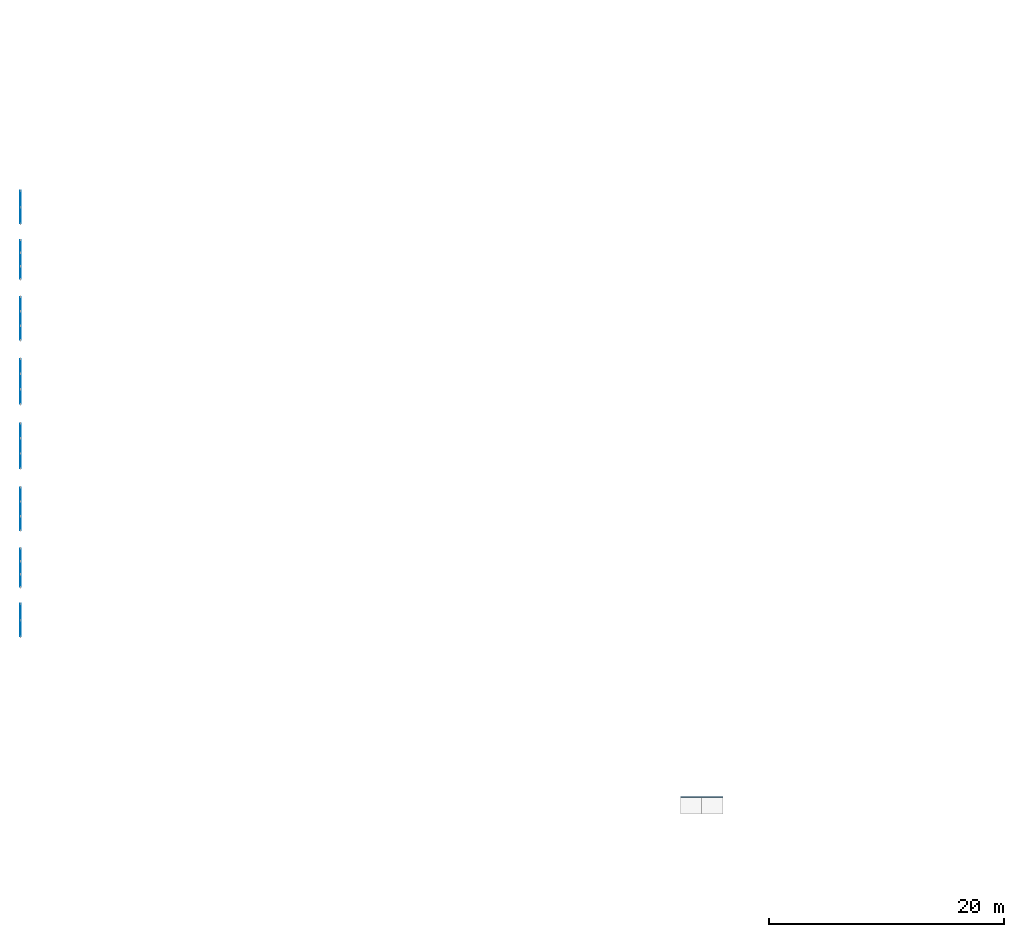
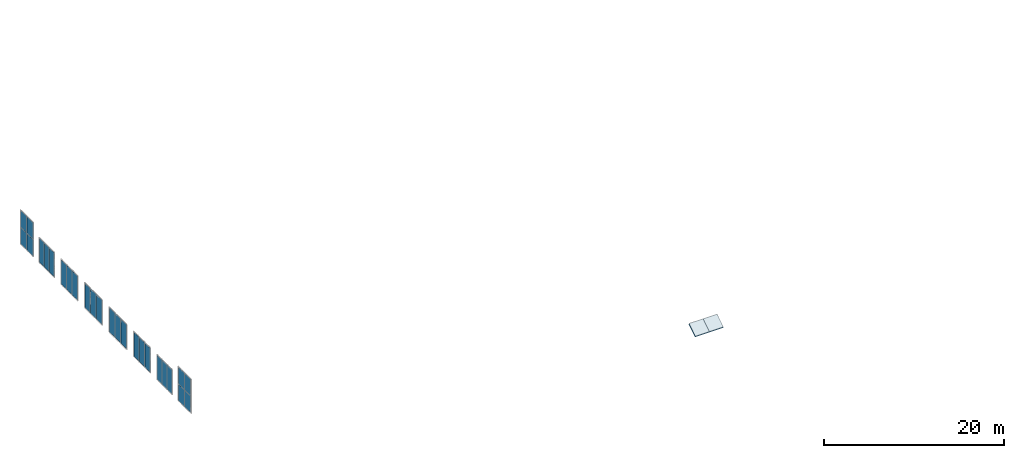
# One storey, part 16 of 31: 26 plates, 2 slabs, 8 elements without a shape of their own.
"""IFC4 building model written with IfcOpenShell, lengths in metres."""

import ifcopenshell
import ifcopenshell.guid

model = None  # the IFC model being written
_history = None  # IfcOwnerHistory: only IFC2X3 demands one
_inside = {}  # id of a spatial element -> (the spatial element, [elements in it])
_under = {}  # id of a project, library or spatial element -> (it, [spatial elements below it])
_declared = {}  # id of a project -> (the project, [libraries it declares])
_typed = {}  # id of a type object -> (the type object, [elements of that type])
_made_of = {}  # id of a material, layer set ... -> (it, [elements and type objects made of it])


def new_model(schema):
    """Start an empty IFC model of exactly this schema.

    Asked for "IFC4X3", IfcOpenShell would pick the latest addendum, in which some entities
    have other attributes; the version numbers below select the first issue.
    IFC2X3 requires an IfcOwnerHistory on every rooted entity: one is made here for all.
    """
    global model, _history
    if schema == "IFC4X3":
        model = ifcopenshell.file(schema_version=(4, 3, 0, 0))
    else:
        model = ifcopenshell.file(schema=schema)
    _inside.clear()
    _under.clear()
    _declared.clear()
    _typed.clear()
    _made_of.clear()
    _history = None
    if model.schema == "IFC2X3":
        org = make("IfcOrganization", Name="unknown")
        user = make(
            "IfcPersonAndOrganization",
            ThePerson=make("IfcPerson", FamilyName="unknown"),
            TheOrganization=org,
        )
        app = make(
            "IfcApplication",
            ApplicationDeveloper=org,
            Version="unknown",
            ApplicationFullName="unknown",
            ApplicationIdentifier="unknown",
        )
        _history = make(
            "IfcOwnerHistory",
            OwningUser=user,
            OwningApplication=app,
            ChangeAction="ADDED",
            CreationDate=0,
        )
    return model


def make(cls, **values):
    """One entity of the class cls with the attributes given. An attribute that is None is left unset."""
    return model.create_entity(
        cls, **{name: value for name, value in values.items() if value is not None}
    )


def rooted(cls, **values):
    """An entity with a GlobalId (a new one), such as an element, a storey or a relation."""
    return make(cls, GlobalId=ifcopenshell.guid.new(), OwnerHistory=_history, **values)


def si_unit(unit_type, name, prefix=None):
    """IfcSIUnit, for example si_unit("LENGTHUNIT", "METRE", prefix="MILLI")."""
    return make("IfcSIUnit", UnitType=unit_type, Prefix=prefix, Name=name)


def assignment(units):
    """IfcUnitAssignment: the units of a project."""
    return None if units is None else make("IfcUnitAssignment", Units=units)


def point(xyz):
    """IfcCartesianPoint."""
    return None if xyz is None else make("IfcCartesianPoint", Coordinates=xyz)


def direction(xyz):
    """IfcDirection."""
    return None if xyz is None else make("IfcDirection", DirectionRatios=xyz)


def frame(location, z_axis=None, x_axis=None):
    """IfcAxis2Placement3D, a coordinate frame: its origin and axes. An axis left out is left unset."""
    return make(
        "IfcAxis2Placement3D",
        Location=point(location),
        Axis=direction(z_axis),
        RefDirection=direction(x_axis),
    )


def frame_2d(location, x_axis=None):
    """IfcAxis2Placement2D, a coordinate frame in the plane: its origin and x axis."""
    return make(
        "IfcAxis2Placement2D", Location=point(location), RefDirection=direction(x_axis)
    )


def origin():
    """The frame at (0, 0, 0) with its axes left unset."""
    return frame((0.0, 0.0, 0.0))


def origin_2d():
    """The frame at (0, 0) in the plane with its x axis left unset."""
    return frame_2d((0.0, 0.0))


def place(relative_to, where):
    """IfcLocalPlacement: puts the frame where relative to a parent placement (None: the world)."""
    return make(
        "IfcLocalPlacement", PlacementRelTo=relative_to, RelativePlacement=where
    )


def context(
    kind, dimensions, precision=None, world=None, true_north=None, identifier=None
):
    """IfcGeometricRepresentationContext, for example the 3D "Model" context."""
    return make(
        "IfcGeometricRepresentationContext",
        ContextIdentifier=identifier,
        ContextType=kind,
        CoordinateSpaceDimension=dimensions,
        Precision=precision,
        WorldCoordinateSystem=world,
        TrueNorth=true_north,
    )


def subcontext(parent, identifier, kind, view, scale=None):
    """IfcGeometricRepresentationSubContext, for example "Body" below "Model"."""
    return make(
        "IfcGeometricRepresentationSubContext",
        ContextIdentifier=identifier,
        ContextType=kind,
        ParentContext=parent,
        TargetScale=scale,
        TargetView=view,
    )


def project(units=None, contexts=None):
    """IfcProject with its units and contexts."""
    return rooted(
        "IfcProject",
        Name="project",
        RepresentationContexts=contexts,
        UnitsInContext=assignment(units),
    )


def spatial(cls, under=None, at=None, **own):
    """A site, building, storey or space (cls), placed at a placement, below another one or the project."""
    s = rooted(cls, ObjectPlacement=at, **own)
    if under is not None:
        _under.setdefault(under.id(), (under, []))[1].append(s)
    return s


def polyline(points):
    """IfcPolyline through the points."""
    return make("IfcPolyline", Points=[point(p) for p in points])


def profile(cls, at=None, kind="AREA", **sizes):
    """A parametric profile (cls). Its sizes go by their IFC names, for example OverallWidth=200.0."""
    return make(cls, ProfileType=kind, Position=at, **sizes)


def rectangle(**sizes):
    """IfcRectangleProfileDef."""
    return profile("IfcRectangleProfileDef", **sizes)


def outline(outer, holes=None, kind="AREA"):
    """IfcArbitraryClosedProfileDef: a profile drawn as a closed curve; with holes, ...WithVoids."""
    if holes is None:
        return make("IfcArbitraryClosedProfileDef", ProfileType=kind, OuterCurve=outer)
    return make(
        "IfcArbitraryProfileDefWithVoids",
        ProfileType=kind,
        OuterCurve=outer,
        InnerCurves=holes,
    )


def extrude(swept, where, along, depth):
    """IfcExtrudedAreaSolid: the profile swept, set in the frame where, extruded along a direction by depth."""
    return make(
        "IfcExtrudedAreaSolid",
        SweptArea=swept,
        Position=where,
        ExtrudedDirection=direction(along),
        Depth=depth,
    )


def shape(context_of_items, identifier, shape_type, items):
    """IfcShapeRepresentation: the items that make up one representation, for example the "Body"."""
    return make(
        "IfcShapeRepresentation",
        ContextOfItems=context_of_items,
        RepresentationIdentifier=identifier,
        RepresentationType=shape_type,
        Items=items,
    )


def material(Name=None, Category=None):
    """IfcMaterial."""
    return make("IfcMaterial", Name=Name, Category=Category)


def layer(
    of_material, thickness, ventilated=None, Name=None, Category=None, Priority=None
):
    """IfcMaterialLayer: one layer of a wall or slab, of a material (None: an air gap)."""
    return make(
        "IfcMaterialLayer",
        Material=of_material,
        LayerThickness=thickness,
        IsVentilated=ventilated,
        Name=Name,
        Category=Category,
        Priority=Priority,
    )


def layer_set(layers, Name=None):
    """IfcMaterialLayerSet."""
    return make("IfcMaterialLayerSet", MaterialLayers=layers, LayerSetName=Name)


def made_of(thing, what):
    """Note that an element or type object is made of a material, layer set ...; save() writes the relation."""
    if what is not None:
        _made_of.setdefault(what.id(), (what, []))[1].append(thing)
    return thing


def type_object(cls, material=None, **own):
    """A type object (cls), such as IfcWallType, which elements share."""
    return made_of(rooted(cls, **own), material)


def element(
    cls,
    number,
    at=None,
    inside=None,
    cuts=None,
    type_object=None,
    material=None,
    context=None,
    identifier="Body",
    shape_type=None,
    held_by="IfcProductDefinitionShape",
    body=None,
    shapes=None,
    **own,
):
    """One element of the class cls, such as IfcWall. Its Tag is "e" and its number.

    at: its placement. inside: the storey or other place that contains it. cuts: it is an
    opening in that element (IfcRelVoidsElement). A single representation is given by context,
    identifier, shape_type and body (its items); several are given by shapes. held_by: the class
    of the entity that holds the representations. save() writes the other relations.
    """
    e = rooted(cls, Tag="e%d" % number, ObjectPlacement=at, **own)
    if body is not None:
        shapes = [shape(context, identifier, shape_type, body)]
    if shapes is not None:
        e.Representation = make(held_by, Representations=shapes)
    if inside is not None:
        _inside.setdefault(inside.id(), (inside, []))[1].append(e)
    if cuts is not None:
        rooted(
            "IfcRelVoidsElement", RelatingBuildingElement=cuts, RelatedOpeningElement=e
        )
    if type_object is not None:
        _typed.setdefault(type_object.id(), (type_object, []))[1].append(e)
    return made_of(e, material)


def aggregate(whole, parts):
    """IfcRelAggregates: a whole, such as a stair, and the parts it consists of."""
    return rooted("IfcRelAggregates", RelatingObject=whole, RelatedObjects=parts)


def save(model, path):
    """Write the relations noted so far, then the file.

    IfcRelAggregates (storeys below a building ...), IfcRelContainedInSpatialStructure (elements
    in a storey), IfcRelDefinesByType, IfcRelAssociatesMaterial and IfcRelDeclares: one each for
    every whole, place, type object, material and project.
    """
    for whole, parts in _under.values():
        aggregate(whole, parts)
    for where, things in _inside.values():
        rooted(
            "IfcRelContainedInSpatialStructure",
            RelatedElements=things,
            RelatingStructure=where,
        )
    for kind, things in _typed.values():
        rooted("IfcRelDefinesByType", RelatedObjects=things, RelatingType=kind)
    for what, things in _made_of.values():
        rooted("IfcRelAssociatesMaterial", RelatedObjects=things, RelatingMaterial=what)
    for by, libraries in _declared.values():
        rooted("IfcRelDeclares", RelatingContext=by, RelatedDefinitions=libraries)
    model.write(path)


model = new_model("IFC4")

# Units and contexts
model_context = context("Model", 3, precision=1e-05, world=origin(), true_north=direction((0.0, 1.0)))
body_context = subcontext(model_context, "Body", "Model", "MODEL_VIEW")
ifc_project = project(units=[si_unit("LENGTHUNIT", "METRE"), si_unit("AREAUNIT", "SQUARE_METRE"), si_unit("VOLUMEUNIT", "CUBIC_METRE"), si_unit("PLANEANGLEUNIT", "RADIAN"), si_unit("MASSUNIT", "GRAM", prefix="KILO")], contexts=[model_context])

# Site, building, storey
site_placement = place(None, origin())
site = spatial("IfcSite", under=ifc_project, at=site_placement, CompositionType="ELEMENT")
building_placement = place(site_placement, origin())
building = spatial("IfcBuilding", under=site, at=building_placement, Name="Vermilion Court Aquatics Centre", CompositionType="ELEMENT")
storey_placement = place(building_placement, frame((0.0, 0.0, 16.5)))
storey = spatial("IfcBuildingStorey", under=building, at=storey_placement, Name="L03", CompositionType="ELEMENT", Elevation=16.5)

# Curtain wall, plates
ifc_material_1 = material(Name="Aluminium 6063-T5", Category="aluminium")
curtain_wall_type = type_object("IfcCurtainWallType", Name="Envelope curtain wall west gable upper runs", PredefinedType="NOTDEFINED", material=ifc_material_1)
curtain_wall_1_placement = place(storey_placement, origin())
curtain_wall_1 = element("IfcCurtainWall", 1, at=curtain_wall_1_placement, inside=storey, type_object=curtain_wall_type, Name="Gable glazing west 3.2", PredefinedType="NOTDEFINED")
ifc_material_2 = material(Name="Glazing", Category="glass")
ifc_layer_1 = layer(ifc_material_2, 0.050048828125)
ifc_layer_set_1 = layer_set([ifc_layer_1], Name="Envelope triple glazing panel 50")
plate_type = type_object("IfcPlateType", Name="Envelope triple glazing panel 50", PredefinedType="CURTAIN_PANEL", material=ifc_layer_set_1)
plate_1_placement = place(storey_placement, frame((14.125, 21.35498046875, 0.06005859375), z_axis=(0.0, 0.0, 1.0), x_axis=(0.0, 1.0, 0.0)))
plate_1 = element("IfcPlate", 2, at=plate_1_placement, type_object=plate_type, Name="ECW4 panel 1.1", PredefinedType="CURTAIN_PANEL", context=body_context, shape_type="SweptSolid", body=[
    extrude(rectangle(XDim=1.35009765625, YDim=0.050048828125, at=origin_2d()), origin(), (0.0, 0.0, 1.0), 2.2275390625),
])
plate_2_placement = place(storey_placement, frame((14.125, 21.35498046875, 2.347412109375), z_axis=(0.0, 0.0, 1.0), x_axis=(0.0, 1.0, 0.0)))
plate_2 = element("IfcPlate", 3, at=plate_2_placement, type_object=plate_type, Name="ECW4 panel 1.2", PredefinedType="CURTAIN_PANEL", context=body_context, shape_type="SweptSolid", body=[
    extrude(rectangle(XDim=1.35009765625, YDim=0.050048828125, at=origin_2d()), origin(), (0.0, 0.0, 1.0), 2.2275390625),
])
plate_3_placement = place(storey_placement, frame((14.125, 22.764892578125, 0.06005859375), z_axis=(0.0, 0.0, 1.0), x_axis=(0.0, 1.0, 0.0)))
plate_3 = element("IfcPlate", 4, at=plate_3_placement, type_object=plate_type, Name="ECW4 panel 2.1", PredefinedType="CURTAIN_PANEL", context=body_context, shape_type="SweptSolid", body=[
    extrude(rectangle(XDim=1.35009765625, YDim=0.050048828125, at=origin_2d()), origin(), (0.0, 0.0, 1.0), 2.2275390625),
])
plate_4_placement = place(storey_placement, frame((14.125, 22.764892578125, 2.347412109375), z_axis=(0.0, 0.0, 1.0), x_axis=(0.0, 1.0, 0.0)))
plate_4 = element("IfcPlate", 5, at=plate_4_placement, type_object=plate_type, Name="ECW4 panel 2.2", PredefinedType="CURTAIN_PANEL", context=body_context, shape_type="SweptSolid", body=[
    extrude(rectangle(XDim=1.35009765625, YDim=0.050048828125, at=origin_2d()), origin(), (0.0, 0.0, 1.0), 2.2275390625),
])
aggregate(curtain_wall_1, [plate_1, plate_2, plate_3, plate_4])

curtain_wall_2_placement = place(storey_placement, origin())
curtain_wall_2 = element("IfcCurtainWall", 6, at=curtain_wall_2_placement, inside=storey, type_object=curtain_wall_type, Name="Gable glazing west 4.2", PredefinedType="NOTDEFINED")
plate_5_placement = place(storey_placement, frame((14.125, 25.3984375, 0.06005859375), z_axis=(0.0, 0.0, 1.0), x_axis=(0.0, 1.0, 0.0)))
plate_5 = element("IfcPlate", 7, at=plate_5_placement, type_object=plate_type, Name="ECW4 panel 1.1", PredefinedType="CURTAIN_PANEL", context=body_context, shape_type="SweptSolid", body=[
    extrude(rectangle(XDim=1.03662109375, YDim=0.050048828125, at=origin_2d()), origin(), (0.0, 0.0, 1.0), 3.280029296875),
])
plate_6_placement = place(storey_placement, frame((14.125, 26.510009765625, 0.06005859375), z_axis=(0.0, 0.0, 1.0), x_axis=(0.0, 1.0, 0.0)))
plate_6 = element("IfcPlate", 8, at=plate_6_placement, type_object=plate_type, Name="ECW4 panel 2.1", PredefinedType="CURTAIN_PANEL", context=body_context, shape_type="SweptSolid", body=[
    extrude(rectangle(XDim=1.066650390625, YDim=0.050048828125, at=origin_2d()), origin(), (0.0, 0.0, 1.0), 3.280029296875),
])
plate_7_placement = place(storey_placement, frame((14.125, 27.62158203125, 0.06005859375), z_axis=(0.0, 0.0, 1.0), x_axis=(0.0, 1.0, 0.0)))
plate_7 = element("IfcPlate", 9, at=plate_7_placement, type_object=plate_type, Name="ECW4 panel 3.1", PredefinedType="CURTAIN_PANEL", context=body_context, shape_type="SweptSolid", body=[
    extrude(rectangle(XDim=1.03662109375, YDim=0.050048828125, at=origin_2d()), origin(), (0.0, 0.0, 1.0), 3.280029296875),
])
aggregate(curtain_wall_2, [plate_5, plate_6, plate_7])

curtain_wall_3_placement = place(storey_placement, origin())
curtain_wall_3 = element("IfcCurtainWall", 10, at=curtain_wall_3_placement, inside=storey, type_object=curtain_wall_type, Name="Gable glazing west 5.2", PredefinedType="NOTDEFINED")
plate_8_placement = place(storey_placement, frame((14.125, 30.28662109375, 0.06005859375), z_axis=(0.0, 0.0, 1.0), x_axis=(0.0, 1.0, 0.0)))
plate_8 = element("IfcPlate", 11, at=plate_8_placement, type_object=plate_type, Name="ECW4 panel 1.1", PredefinedType="CURTAIN_PANEL", context=body_context, shape_type="SweptSolid", body=[
    extrude(rectangle(XDim=1.1533203125, YDim=0.050048828125, at=origin_2d()), origin(), (0.0, 0.0, 1.0), 3.280029296875),
])
plate_9_placement = place(storey_placement, frame((14.125, 31.514892578125, 0.06005859375), z_axis=(0.0, 0.0, 1.0), x_axis=(0.0, 1.0, 0.0)))
plate_9 = element("IfcPlate", 12, at=plate_9_placement, type_object=plate_type, Name="ECW4 panel 2.1", PredefinedType="CURTAIN_PANEL", context=body_context, shape_type="SweptSolid", body=[
    extrude(rectangle(XDim=1.183349609375, YDim=0.050048828125, at=origin_2d()), origin(), (0.0, 0.0, 1.0), 3.280029296875),
])
plate_10_placement = place(storey_placement, frame((14.125, 32.743408203125, 0.06005859375), z_axis=(0.0, 0.0, 1.0), x_axis=(0.0, 1.0, 0.0)))
plate_10 = element("IfcPlate", 13, at=plate_10_placement, type_object=plate_type, Name="ECW4 panel 3.1", PredefinedType="CURTAIN_PANEL", context=body_context, shape_type="SweptSolid", body=[
    extrude(rectangle(XDim=1.1533203125, YDim=0.050048828125, at=origin_2d()), origin(), (0.0, 0.0, 1.0), 3.280029296875),
])
aggregate(curtain_wall_3, [plate_8, plate_9, plate_10])

curtain_wall_4_placement = place(storey_placement, origin())
curtain_wall_4 = element("IfcCurtainWall", 14, at=curtain_wall_4_placement, inside=storey, type_object=curtain_wall_type, Name="Gable glazing west 6.2", PredefinedType="NOTDEFINED")
plate_11_placement = place(storey_placement, frame((14.125, 35.57666015625, 0.06005859375), z_axis=(0.0, 0.0, 1.0), x_axis=(0.0, 1.0, 0.0)))
plate_11 = element("IfcPlate", 15, at=plate_11_placement, type_object=plate_type, Name="ECW4 panel 1.1", PredefinedType="CURTAIN_PANEL", context=body_context, shape_type="SweptSolid", body=[
    extrude(rectangle(XDim=1.21337890625, YDim=0.050048828125, at=origin_2d()), origin(), (0.0, 0.0, 1.0), 3.280029296875),
])
plate_12_placement = place(storey_placement, frame((14.125, 36.864990234375, 0.06005859375), z_axis=(0.0, 0.0, 1.0), x_axis=(0.0, 1.0, 0.0)))
plate_12 = element("IfcPlate", 16, at=plate_12_placement, type_object=plate_type, Name="ECW4 panel 2.1", PredefinedType="CURTAIN_PANEL", context=body_context, shape_type="SweptSolid", body=[
    extrude(rectangle(XDim=1.243408203125, YDim=0.050048828125, at=origin_2d()), origin(), (0.0, 0.0, 1.0), 3.280029296875),
])
plate_13_placement = place(storey_placement, frame((14.125, 38.1533203125, 0.06005859375), z_axis=(0.0, 0.0, 1.0), x_axis=(0.0, 1.0, 0.0)))
plate_13 = element("IfcPlate", 17, at=plate_13_placement, type_object=plate_type, Name="ECW4 panel 3.1", PredefinedType="CURTAIN_PANEL", context=body_context, shape_type="SweptSolid", body=[
    extrude(rectangle(XDim=1.21337890625, YDim=0.050048828125, at=origin_2d()), origin(), (0.0, 0.0, 1.0), 3.280029296875),
])
aggregate(curtain_wall_4, [plate_11, plate_12, plate_13])

curtain_wall_5_placement = place(storey_placement, origin())
curtain_wall_5 = element("IfcCurtainWall", 18, at=curtain_wall_5_placement, inside=storey, type_object=curtain_wall_type, Name="Gable glazing west 7.2", PredefinedType="NOTDEFINED")
plate_14_placement = place(storey_placement, frame((14.125, 41.046630859375, 0.06005859375), z_axis=(0.0, 0.0, 1.0), x_axis=(0.0, 1.0, 0.0)))
plate_14 = element("IfcPlate", 19, at=plate_14_placement, type_object=plate_type, Name="ECW4 panel 1.1", PredefinedType="CURTAIN_PANEL", context=body_context, shape_type="SweptSolid", body=[
    extrude(rectangle(XDim=1.21337890625, YDim=0.050048828125, at=origin_2d()), origin(), (0.0, 0.0, 1.0), 3.280029296875),
])
plate_15_placement = place(storey_placement, frame((14.125, 42.3349609375, 0.06005859375), z_axis=(0.0, 0.0, 1.0), x_axis=(0.0, 1.0, 0.0)))
plate_15 = element("IfcPlate", 20, at=plate_15_placement, type_object=plate_type, Name="ECW4 panel 2.1", PredefinedType="CURTAIN_PANEL", context=body_context, shape_type="SweptSolid", body=[
    extrude(rectangle(XDim=1.243408203125, YDim=0.050048828125, at=origin_2d()), origin(), (0.0, 0.0, 1.0), 3.280029296875),
])
plate_16_placement = place(storey_placement, frame((14.125, 43.623291015625, 0.06005859375), z_axis=(0.0, 0.0, 1.0), x_axis=(0.0, 1.0, 0.0)))
plate_16 = element("IfcPlate", 21, at=plate_16_placement, type_object=plate_type, Name="ECW4 panel 3.1", PredefinedType="CURTAIN_PANEL", context=body_context, shape_type="SweptSolid", body=[
    extrude(rectangle(XDim=1.21337890625, YDim=0.050048828125, at=origin_2d()), origin(), (0.0, 0.0, 1.0), 3.280029296875),
])
aggregate(curtain_wall_5, [plate_14, plate_15, plate_16])

curtain_wall_6_placement = place(storey_placement, origin())
curtain_wall_6 = element("IfcCurtainWall", 22, at=curtain_wall_6_placement, inside=storey, type_object=curtain_wall_type, Name="Gable glazing west 8.2", PredefinedType="NOTDEFINED")
plate_17_placement = place(storey_placement, frame((14.125, 46.456787109375, 0.06005859375), z_axis=(0.0, 0.0, 1.0), x_axis=(0.0, 1.0, 0.0)))
plate_17 = element("IfcPlate", 23, at=plate_17_placement, type_object=plate_type, Name="ECW4 panel 1.1", PredefinedType="CURTAIN_PANEL", context=body_context, shape_type="SweptSolid", body=[
    extrude(rectangle(XDim=1.1533203125, YDim=0.050048828125, at=origin_2d()), origin(), (0.0, 0.0, 1.0), 3.280029296875),
])
plate_18_placement = place(storey_placement, frame((14.125, 47.68505859375, 0.06005859375), z_axis=(0.0, 0.0, 1.0), x_axis=(0.0, 1.0, 0.0)))
plate_18 = element("IfcPlate", 24, at=plate_18_placement, type_object=plate_type, Name="ECW4 panel 2.1", PredefinedType="CURTAIN_PANEL", context=body_context, shape_type="SweptSolid", body=[
    extrude(rectangle(XDim=1.183349609375, YDim=0.050048828125, at=origin_2d()), origin(), (0.0, 0.0, 1.0), 3.280029296875),
])
plate_19_placement = place(storey_placement, frame((14.125, 48.913330078125, 0.06005859375), z_axis=(0.0, 0.0, 1.0), x_axis=(0.0, 1.0, 0.0)))
plate_19 = element("IfcPlate", 25, at=plate_19_placement, type_object=plate_type, Name="ECW4 panel 3.1", PredefinedType="CURTAIN_PANEL", context=body_context, shape_type="SweptSolid", body=[
    extrude(rectangle(XDim=1.1533203125, YDim=0.050048828125, at=origin_2d()), origin(), (0.0, 0.0, 1.0), 3.280029296875),
])
aggregate(curtain_wall_6, [plate_17, plate_18, plate_19])

curtain_wall_7_placement = place(storey_placement, origin())
curtain_wall_7 = element("IfcCurtainWall", 26, at=curtain_wall_7_placement, inside=storey, type_object=curtain_wall_type, Name="Gable glazing west 9.2", PredefinedType="NOTDEFINED")
plate_20_placement = place(storey_placement, frame((14.125, 51.578369140625, 0.06005859375), z_axis=(0.0, 0.0, 1.0), x_axis=(0.0, 1.0, 0.0)))
plate_20 = element("IfcPlate", 27, at=plate_20_placement, type_object=plate_type, Name="ECW4 panel 1.1", PredefinedType="CURTAIN_PANEL", context=body_context, shape_type="SweptSolid", body=[
    extrude(rectangle(XDim=1.03662109375, YDim=0.050048828125, at=origin_2d()), origin(), (0.0, 0.0, 1.0), 3.280029296875),
])
plate_21_placement = place(storey_placement, frame((14.125, 52.68994140625, 0.06005859375), z_axis=(0.0, 0.0, 1.0), x_axis=(0.0, 1.0, 0.0)))
plate_21 = element("IfcPlate", 28, at=plate_21_placement, type_object=plate_type, Name="ECW4 panel 2.1", PredefinedType="CURTAIN_PANEL", context=body_context, shape_type="SweptSolid", body=[
    extrude(rectangle(XDim=1.066650390625, YDim=0.050048828125, at=origin_2d()), origin(), (0.0, 0.0, 1.0), 3.280029296875),
])
plate_22_placement = place(storey_placement, frame((14.125, 53.8017578125, 0.06005859375), z_axis=(0.0, 0.0, 1.0), x_axis=(0.0, 1.0, 0.0)))
plate_22 = element("IfcPlate", 29, at=plate_22_placement, type_object=plate_type, Name="ECW4 panel 3.1", PredefinedType="CURTAIN_PANEL", context=body_context, shape_type="SweptSolid", body=[
    extrude(rectangle(XDim=1.03662109375, YDim=0.050048828125, at=origin_2d()), origin(), (0.0, 0.0, 1.0), 3.280029296875),
])
aggregate(curtain_wall_7, [plate_20, plate_21, plate_22])

curtain_wall_8_placement = place(storey_placement, origin())
curtain_wall_8 = element("IfcCurtainWall", 30, at=curtain_wall_8_placement, inside=storey, type_object=curtain_wall_type, Name="Gable glazing west 10.2", PredefinedType="NOTDEFINED")
plate_23_placement = place(storey_placement, frame((14.125, 56.43505859375, 0.06005859375), z_axis=(0.0, 0.0, 1.0), x_axis=(0.0, 1.0, 0.0)))
plate_23 = element("IfcPlate", 31, at=plate_23_placement, type_object=plate_type, Name="ECW4 panel 1.1", PredefinedType="CURTAIN_PANEL", context=body_context, shape_type="SweptSolid", body=[
    extrude(rectangle(XDim=1.35009765625, YDim=0.050048828125, at=origin_2d()), origin(), (0.0, 0.0, 1.0), 2.2275390625),
])
plate_24_placement = place(storey_placement, frame((14.125, 56.43505859375, 2.347412109375), z_axis=(0.0, 0.0, 1.0), x_axis=(0.0, 1.0, 0.0)))
plate_24 = element("IfcPlate", 32, at=plate_24_placement, type_object=plate_type, Name="ECW4 panel 1.2", PredefinedType="CURTAIN_PANEL", context=body_context, shape_type="SweptSolid", body=[
    extrude(rectangle(XDim=1.35009765625, YDim=0.050048828125, at=origin_2d()), origin(), (0.0, 0.0, 1.0), 2.2275390625),
])
plate_25_placement = place(storey_placement, frame((14.125, 57.844970703125, 0.06005859375), z_axis=(0.0, 0.0, 1.0), x_axis=(0.0, 1.0, 0.0)))
plate_25 = element("IfcPlate", 33, at=plate_25_placement, type_object=plate_type, Name="ECW4 panel 2.1", PredefinedType="CURTAIN_PANEL", context=body_context, shape_type="SweptSolid", body=[
    extrude(rectangle(XDim=1.35009765625, YDim=0.050048828125, at=origin_2d()), origin(), (0.0, 0.0, 1.0), 2.2275390625),
])
plate_26_placement = place(storey_placement, frame((14.125, 57.844970703125, 2.347412109375), z_axis=(0.0, 0.0, 1.0), x_axis=(0.0, 1.0, 0.0)))
plate_26 = element("IfcPlate", 34, at=plate_26_placement, type_object=plate_type, Name="ECW4 panel 2.2", PredefinedType="CURTAIN_PANEL", context=body_context, shape_type="SweptSolid", body=[
    extrude(rectangle(XDim=1.35009765625, YDim=0.050048828125, at=origin_2d()), origin(), (0.0, 0.0, 1.0), 2.2275390625),
])
aggregate(curtain_wall_8, [plate_23, plate_24, plate_25, plate_26])

# Slabs
ifc_material_3 = material(Name="Concrete 4000 psi", Category="concrete")
ifc_layer_2 = layer(ifc_material_3, 0.159912109375)
ifc_layer_set_2 = layer_set([ifc_layer_2], Name="South roof slab terracotta tiled 160")
slab_type = type_object("IfcSlabType", Name="South roof slab terracotta tiled 160", PredefinedType="ROOF", material=ifc_layer_set_2)
for number, where, z_axis, x_axis, name in (
    (35, (70.199951171875, 7.0, 0.820068359375), (0.0, -0.544669573936, 0.838650734948), (1.0, 0.0, 0.0), "South roof slab"),
    (36, (72.0, 7.0, 0.820068359375), (0.0, -0.544669573936, 0.838650734948), (1.0, 0.0, 0.0), "South roof slab"),
):
    element("IfcSlab", number, at=place(storey_placement, frame(where, z_axis=z_axis, x_axis=x_axis)), inside=storey, type_object=slab_type, Name=name, PredefinedType="ROOF", context=body_context, shape_type="SweptSolid", body=[
        extrude(outline(polyline([(0.0, 0.0), (1.800048828125, 0.0), (1.800048828125, -1.669231642462885), (0.0, -1.669231642462885), (0.0, 0.0)])), origin(), (0.0, 0.0, -1.0), 0.159912109375),
    ])

save(model, "model.ifc")
